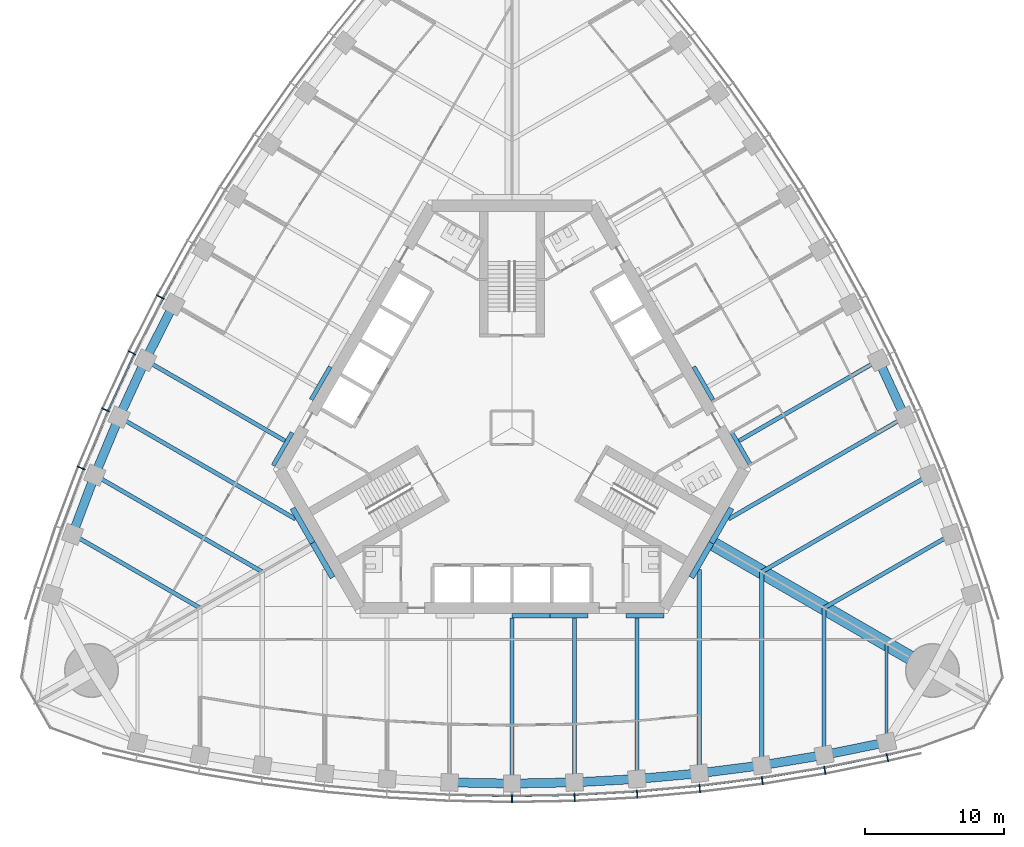
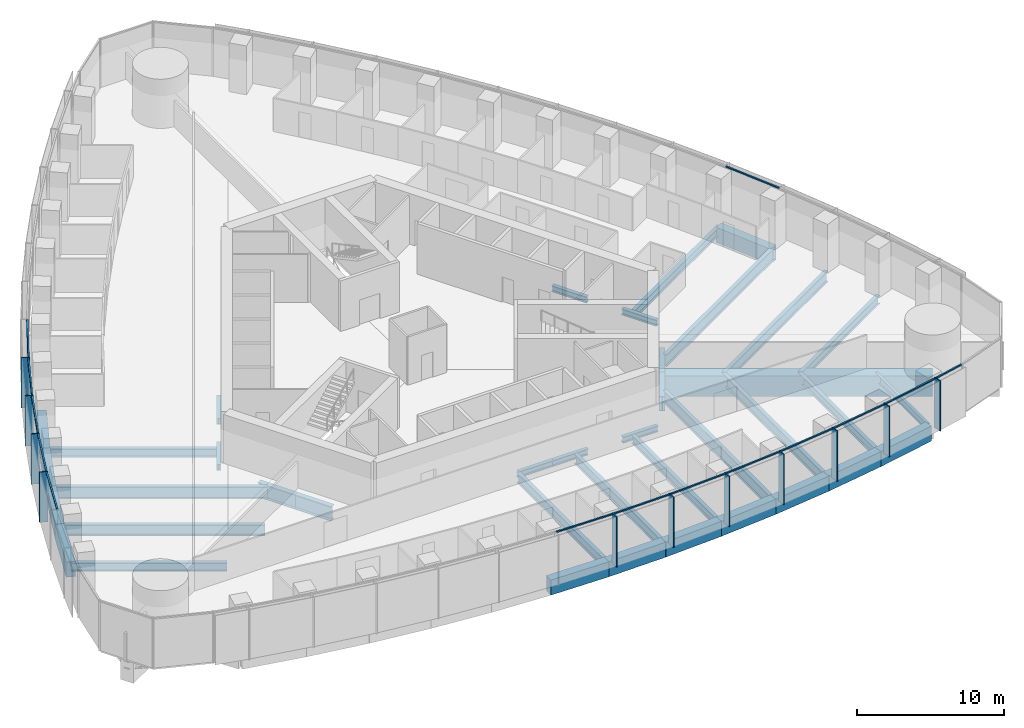
# One storey, part 3 of 21: 39 beams, 25 members, 3 elements without a shape of their own.
"""IFC4 building model written with IfcOpenShell, lengths in metres."""

from ifc_helpers import new_model, si_unit, direction, frame, origin, origin_2d, place, context, subcontext, project, spatial, rectangle, i_section, extrude, material, material_profile, profile_set, type_object, element, aggregate, save


model = new_model("IFC4")

# Units and contexts
model_context = context("Model", 3, precision=1e-05, world=origin(), true_north=direction((0.0, 1.0)))
body_context = subcontext(model_context, "Body", "Model", "MODEL_VIEW")
ifc_project = project(units=[si_unit("LENGTHUNIT", "METRE"), si_unit("AREAUNIT", "SQUARE_METRE"), si_unit("VOLUMEUNIT", "CUBIC_METRE"), si_unit("PLANEANGLEUNIT", "RADIAN"), si_unit("MASSUNIT", "GRAM", prefix="KILO")], contexts=[model_context])

# Site, building, storey
site_placement = place(None, origin())
site = spatial("IfcSite", under=ifc_project, at=site_placement, CompositionType="ELEMENT")
building_placement = place(site_placement, origin())
building = spatial("IfcBuilding", under=site, at=building_placement, Name="Trefoil Bronze Tower", CompositionType="ELEMENT")
storey_placement = place(building_placement, frame((0.0, 0.0, 153.5)))
storey = spatial("IfcBuildingStorey", under=building, at=storey_placement, Name="L35", CompositionType="ELEMENT", Elevation=153.5)

# Curtain wall, members
ifc_material_1 = material(Name="Tinted solar-control glass", Category="glass")
curtain_wall_type = type_object("IfcCurtainWallType", Name="Bronze office curtain wall", PredefinedType="USERDEFINED", material=ifc_material_1)
curtain_wall_1_placement = place(storey_placement, origin())
curtain_wall_1 = element("IfcCurtainWall", 1, at=curtain_wall_1_placement, inside=storey, type_object=curtain_wall_type, Name="CW-A L35 F1", ObjectType="CURTAIN WALL", PredefinedType="USERDEFINED")
ifc_material_2 = material(Name="Bronze-finish aluminium", Category="aluminium")
ifc_material_profile_1 = material_profile(ifc_material_2, rectangle(XDim=0.60009765625, YDim=0.080078125, at=origin_2d()), Name="CW-A mullion")
ifc_profile_set_1 = profile_set([ifc_material_profile_1], Name="Bronze-finish aluminium")
member_type_1 = type_object("IfcMemberType", Name="Bronze office curtain wall mullion", PredefinedType="MULLION", material=ifc_profile_set_1)
member_1_placement = place(storey_placement, frame((0.0, -26.749755859375, 0.0), z_axis=(0.0, 0.0, 1.0), x_axis=(0.0, 1.0, 0.0)))
member_1 = element("IfcMember", 2, at=member_1_placement, type_object=member_type_1, Name="CW-A L35 F1 mullion 8", PredefinedType="MULLION", context=body_context, shape_type="SweptSolid", body=[
    extrude(rectangle(XDim=0.60009765625, YDim=0.080078125, at=origin_2d()), origin(), (0.0, 0.0, 1.0), 4.179931640625),
])
member_2_placement = place(storey_placement, frame((4.5107421875, -26.66845703125, 0.0), z_axis=(0.0, 0.0, 1.0), x_axis=(-0.036047792107, 0.999350067136, 0.0)))
member_2 = element("IfcMember", 3, at=member_2_placement, type_object=member_type_1, Name="CW-A L35 F1 mullion 9", PredefinedType="MULLION", context=body_context, shape_type="SweptSolid", body=[
    extrude(rectangle(XDim=0.60009765625, YDim=0.080078125, at=origin_2d()), origin(), (0.0, 0.0, 1.0), 4.179931640625),
])
member_3_placement = place(storey_placement, frame((9.021728515625, -26.424072265625, 0.0), z_axis=(0.0, 0.0, 1.0), x_axis=(-0.072095676284, 0.997397720802, 0.0)))
member_3 = element("IfcMember", 4, at=member_3_placement, type_object=member_type_1, Name="CW-A L35 F1 mullion 10", PredefinedType="MULLION", context=body_context, shape_type="SweptSolid", body=[
    extrude(rectangle(XDim=0.60009765625, YDim=0.080078125, at=origin_2d()), origin(), (0.0, 0.0, 1.0), 4.179931640625),
])
member_4_placement = place(storey_placement, frame((13.532470703125, -26.01611328125, 0.0), z_axis=(0.0, 0.0, 1.0), x_axis=(-0.108143747013, 0.994135267447, 0.0)))
member_4 = element("IfcMember", 5, at=member_4_placement, type_object=member_type_1, Name="CW-A L35 F1 mullion 11", PredefinedType="MULLION", context=body_context, shape_type="SweptSolid", body=[
    extrude(rectangle(XDim=0.60009765625, YDim=0.080078125, at=origin_2d()), origin(), (0.0, 0.0, 1.0), 4.179931640625),
])
member_5_placement = place(storey_placement, frame((18.043212890625, -25.4423828125, 0.0), z_axis=(0.0, 0.0, 1.0), x_axis=(-0.144192103798, 0.989549714366, 0.0)))
member_5 = element("IfcMember", 6, at=member_5_placement, type_object=member_type_1, Name="CW-A L35 F1 mullion 12", PredefinedType="MULLION", context=body_context, shape_type="SweptSolid", body=[
    extrude(rectangle(XDim=0.60009765625, YDim=0.080078125, at=origin_2d()), origin(), (0.0, 0.0, 1.0), 4.179931640625),
])
member_6_placement = place(storey_placement, frame((22.553955078125, -24.700927734375, 0.0), z_axis=(0.0, 0.0, 1.0), x_axis=(-0.180240853954, 0.98362250613, 0.0)))
member_6 = element("IfcMember", 7, at=member_6_placement, type_object=member_type_1, Name="CW-A L35 F1 mullion 13", PredefinedType="MULLION", context=body_context, shape_type="SweptSolid", body=[
    extrude(rectangle(XDim=0.60009765625, YDim=0.080078125, at=origin_2d()), origin(), (0.0, 0.0, 1.0), 4.179931640625),
])
member_7_placement = place(storey_placement, frame((27.0634765625, -23.7890625, 0.0), z_axis=(0.0, 0.0, 1.0), x_axis=(-0.21197042503, 0.977276081214, 0.0)))
member_7 = element("IfcMember", 8, at=member_7_placement, type_object=member_type_1, Name="CW-A L35 F1 mullion 14", PredefinedType="MULLION", context=body_context, shape_type="SweptSolid", body=[
    extrude(rectangle(XDim=0.60009765625, YDim=0.080078125, at=origin_2d()), origin(), (0.0, 0.0, 1.0), 4.179931640625),
])

curtain_wall_2_placement = place(storey_placement, origin())
curtain_wall_2 = element("IfcCurtainWall", 9, at=curtain_wall_2_placement, inside=storey, type_object=curtain_wall_type, Name="CW-A L35 F3", ObjectType="CURTAIN WALL", PredefinedType="USERDEFINED")
member_8_placement = place(storey_placement, frame((-25.350830078125, 9.427734375, 0.0), z_axis=(0.0, 0.0, 1.0), x_axis=(0.883486441467, -0.468456729853, 0.0)))
member_8 = element("IfcMember", 10, at=member_8_placement, type_object=member_type_1, Name="CW-A L35 F3 mullion 9", PredefinedType="MULLION", context=body_context, shape_type="SweptSolid", body=[
    extrude(rectangle(XDim=0.60009765625, YDim=0.080078125, at=origin_2d()), origin(), (0.0, 0.0, 1.0), 4.179931640625),
])
member_9_placement = place(storey_placement, frame((-27.394775390625, 5.399169921875, 0.0), z_axis=(0.0, 0.0, 1.0), x_axis=(0.899819602033, -0.436262173236, 0.0)))
member_9 = element("IfcMember", 11, at=member_9_placement, type_object=member_type_1, Name="CW-A L35 F3 mullion 10", PredefinedType="MULLION", context=body_context, shape_type="SweptSolid", body=[
    extrude(rectangle(XDim=0.60009765625, YDim=0.080078125, at=origin_2d()), origin(), (0.0, 0.0, 1.0), 4.179931640625),
])
member_10_placement = place(storey_placement, frame((-29.296875, 1.28857421875, 0.0), z_axis=(0.0, 0.0, 1.0), x_axis=(0.915018269914, -0.40341240155, 0.0)))
member_10 = element("IfcMember", 12, at=member_10_placement, type_object=member_type_1, Name="CW-A L35 F3 mullion 11", PredefinedType="MULLION", context=body_context, shape_type="SweptSolid", body=[
    extrude(rectangle(XDim=0.60009765625, YDim=0.080078125, at=origin_2d()), origin(), (0.0, 0.0, 1.0), 4.179931640625),
])
member_11_placement = place(storey_placement, frame((-31.055419921875, -2.90478515625, 0.0), z_axis=(0.0, 0.0, 1.0), x_axis=(0.929071242848, -0.369900832269, 0.0)))
member_11 = element("IfcMember", 13, at=member_11_placement, type_object=member_type_1, Name="CW-A L35 F3 mullion 12", PredefinedType="MULLION", context=body_context, shape_type="SweptSolid", body=[
    extrude(rectangle(XDim=0.60009765625, YDim=0.080078125, at=origin_2d()), origin(), (0.0, 0.0, 1.0), 4.179931640625),
])

# Member
ifc_material_3 = material(Name="Bronze-finish aluminium", Category="aluminium")
ifc_material_profile_2 = material_profile(ifc_material_3, rectangle(XDim=0.1201171875, YDim=0.10009765625, at=origin_2d()), Name="CW-A transom")
ifc_profile_set_2 = profile_set([ifc_material_profile_2], Name="Bronze-finish aluminium")
member_type_2 = type_object("IfcMemberType", Name="Bronze office curtain wall transom", PredefinedType="USERDEFINED", material=ifc_profile_set_2)
member_12_placement = place(storey_placement, frame((-4.4619140625, -26.46923828125, 4.1298828125), z_axis=(0.999837930028, -0.018003157426, 0.0), x_axis=(0.018003157426, 0.999837930028, 0.0)))
member_12 = element("IfcMember", 14, at=member_12_placement, type_object=member_type_2, Name="CW-A L35 F1 transom 7", ObjectType="TRANSOM", PredefinedType="USERDEFINED", context=body_context, shape_type="SweptSolid", body=[
    extrude(rectangle(XDim=0.1201171875, YDim=0.10009765625, at=origin_2d()), origin(), (0.0, 0.0, 1.0), 4.4208984375),
])

member_13_placement = place(storey_placement, frame((0.041748046875, -26.548828125, 4.1298828125), z_axis=(0.999837930028, 0.018003157426, 0.0), x_axis=(-0.018003157426, 0.999837930028, 0.0)))
member_13 = element("IfcMember", 15, at=member_13_placement, type_object=member_type_2, Name="CW-A L35 F1 transom 8", ObjectType="TRANSOM", PredefinedType="USERDEFINED", context=body_context, shape_type="SweptSolid", body=[
    extrude(rectangle(XDim=0.1201171875, YDim=0.10009765625, at=origin_2d()), origin(), (0.0, 0.0, 1.0), 4.4208984375),
])

member_14_placement = place(storey_placement, frame((4.54541015625, -26.46630859375, 4.1298828125), z_axis=(0.998538253569, 0.054049571306, 0.0), x_axis=(-0.054049571306, 0.998538253569, 0.0)))
member_14 = element("IfcMember", 16, at=member_14_placement, type_object=member_type_2, Name="CW-A L35 F1 transom 9", ObjectType="TRANSOM", PredefinedType="USERDEFINED", context=body_context, shape_type="SweptSolid", body=[
    extrude(rectangle(XDim=0.1201171875, YDim=0.10009765625, at=origin_2d()), origin(), (0.0, 0.0, 1.0), 4.4267578125),
])

member_15_placement = place(storey_placement, frame((9.048828125, -26.220947265625, 4.1298828125), z_axis=(0.995932787062, 0.090099298863, 0.0), x_axis=(-0.090099298863, 0.995932787062, 0.0)))
member_15 = element("IfcMember", 17, at=member_15_placement, type_object=member_type_2, Name="CW-A L35 F1 transom 10", ObjectType="TRANSOM", PredefinedType="USERDEFINED", context=body_context, shape_type="SweptSolid", body=[
    extrude(rectangle(XDim=0.1201171875, YDim=0.10009765625, at=origin_2d()), origin(), (0.0, 0.0, 1.0), 4.4384765625),
])

member_16_placement = place(storey_placement, frame((13.55224609375, -25.81201171875, 4.1298828125), z_axis=(0.992008387848, 0.12617193998, 0.0), x_axis=(-0.12617193998, 0.992008387848, 0.0)))
member_16 = element("IfcMember", 18, at=member_16_placement, type_object=member_type_2, Name="CW-A L35 F1 transom 11", ObjectType="TRANSOM", PredefinedType="USERDEFINED", context=body_context, shape_type="SweptSolid", body=[
    extrude(rectangle(XDim=0.1201171875, YDim=0.10009765625, at=origin_2d()), origin(), (0.0, 0.0, 1.0), 4.456298828125),
])

member_17_placement = place(storey_placement, frame((18.0556640625, -25.23779296875, 4.1298828125), z_axis=(0.986755265284, 0.162216048636, 0.0), x_axis=(-0.162216048636, 0.986755265284, 0.0)))
member_17 = element("IfcMember", 19, at=member_17_placement, type_object=member_type_2, Name="CW-A L35 F1 transom 12", ObjectType="TRANSOM", PredefinedType="USERDEFINED", context=body_context, shape_type="SweptSolid", body=[
    extrude(rectangle(XDim=0.1201171875, YDim=0.10009765625, at=origin_2d()), origin(), (0.0, 0.0, 1.0), 4.48046875),
])

member_18_placement = place(storey_placement, frame((22.55908203125, -24.49609375, 4.1298828125), z_axis=(0.980153749225, 0.198238815273, 0.0), x_axis=(-0.198238815273, 0.980153749225, 0.0)))
member_18 = element("IfcMember", 20, at=member_18_placement, type_object=member_type_2, Name="CW-A L35 F1 transom 13", ObjectType="TRANSOM", PredefinedType="USERDEFINED", context=body_context, shape_type="SweptSolid", body=[
    extrude(rectangle(XDim=0.1201171875, YDim=0.10009765625, at=origin_2d()), origin(), (0.0, 0.0, 1.0), 4.51123046875),
])

member_19_placement = place(storey_placement, frame((27.0615234375, -23.584228515625, 4.1298828125), z_axis=(0.974206243495, 0.225659467196, 0.0), x_axis=(-0.225659467196, 0.974206243495, 0.0)))
member_19 = element("IfcMember", 21, at=member_19_placement, type_object=member_type_2, Name="CW-A L35 F1 transom 14", ObjectType="TRANSOM", PredefinedType="USERDEFINED", context=body_context, shape_type="SweptSolid", body=[
    extrude(rectangle(XDim=0.1201171875, YDim=0.10009765625, at=origin_2d()), origin(), (0.0, 0.0, 1.0), 2.340087890625),
])

aggregate(curtain_wall_1, [member_1, member_2, member_3, member_4, member_5, member_6, member_7, member_12, member_13, member_14, member_15, member_16, member_17, member_18, member_19])

# Curtain wall, member
curtain_wall_3_placement = place(storey_placement, origin())
curtain_wall_3 = element("IfcCurtainWall", 22, at=curtain_wall_3_placement, inside=storey, type_object=curtain_wall_type, Name="CW-A L35 F2", ObjectType="CURTAIN WALL", PredefinedType="USERDEFINED")
member_20_placement = place(storey_placement, frame((29.09619140625, 1.245849609375, 4.1298828125), z_axis=(-0.419923072198, 0.907559702409, 0.0), x_axis=(-0.907559702409, -0.419923072198, 0.0)))
member_20 = element("IfcMember", 23, at=member_20_placement, type_object=member_type_2, Name="CW-A L35 F2 transom 5", ObjectType="TRANSOM", PredefinedType="USERDEFINED", context=body_context, shape_type="SweptSolid", body=[
    extrude(rectangle(XDim=0.1201171875, YDim=0.10009765625, at=origin_2d()), origin(), (0.0, 0.0, 1.0), 4.4384765625),
])
aggregate(curtain_wall_3, [member_20])

# Member
member_21_placement = place(storey_placement, frame((-23.012939453125, 13.23828125, 4.1298828125), z_axis=(-0.484329470343, -0.874885686337, 0.0), x_axis=(0.874885686337, -0.484329470343, 0.0)))
member_21 = element("IfcMember", 24, at=member_21_placement, type_object=member_type_2, Name="CW-A L35 F3 transom 8", ObjectType="TRANSOM", PredefinedType="USERDEFINED", context=body_context, shape_type="SweptSolid", body=[
    extrude(rectangle(XDim=0.1201171875, YDim=0.10009765625, at=origin_2d()), origin(), (0.0, 0.0, 1.0), 4.4208984375),
])

member_22_placement = place(storey_placement, frame((-25.193115234375, 9.296630859375, 4.1298828125), z_axis=(-0.452478489814, -0.891775317138, 0.0), x_axis=(0.891775317138, -0.452478489814, 0.0)))
member_22 = element("IfcMember", 25, at=member_22_placement, type_object=member_type_2, Name="CW-A L35 F3 transom 9", ObjectType="TRANSOM", PredefinedType="USERDEFINED", context=body_context, shape_type="SweptSolid", body=[
    extrude(rectangle(XDim=0.1201171875, YDim=0.10009765625, at=origin_2d()), origin(), (0.0, 0.0, 1.0), 4.426513671875),
])

member_23_placement = place(storey_placement, frame((-27.232421875, 5.27392578125, 4.1298828125), z_axis=(-0.419923072198, -0.907559702409, 0.0), x_axis=(0.907559702409, -0.419923072198, 0.0)))
member_23 = element("IfcMember", 26, at=member_23_placement, type_object=member_type_2, Name="CW-A L35 F3 transom 10", ObjectType="TRANSOM", PredefinedType="USERDEFINED", context=body_context, shape_type="SweptSolid", body=[
    extrude(rectangle(XDim=0.1201171875, YDim=0.10009765625, at=origin_2d()), origin(), (0.0, 0.0, 1.0), 4.4384765625),
])

member_24_placement = place(storey_placement, frame((-29.1298828125, 1.16943359375, 4.1298828125), z_axis=(-0.386773266184, -0.922174842731, 0.0), x_axis=(0.922174842731, -0.386773266184, 0.0)))
member_24 = element("IfcMember", 27, at=member_24_placement, type_object=member_type_2, Name="CW-A L35 F3 transom 11", ObjectType="TRANSOM", PredefinedType="USERDEFINED", context=body_context, shape_type="SweptSolid", body=[
    extrude(rectangle(XDim=0.1201171875, YDim=0.10009765625, at=origin_2d()), origin(), (0.0, 0.0, 1.0), 4.45654296875),
])

member_25_placement = place(storey_placement, frame((-30.88427734375, -3.017822265625, 4.1298828125), z_axis=(-0.352932154759, -0.935648916067, 0.0), x_axis=(0.935648916067, -0.352932154759, 0.0)))
member_25 = element("IfcMember", 28, at=member_25_placement, type_object=member_type_2, Name="CW-A L35 F3 transom 12", ObjectType="TRANSOM", PredefinedType="USERDEFINED", context=body_context, shape_type="SweptSolid", body=[
    extrude(rectangle(XDim=0.1201171875, YDim=0.10009765625, at=origin_2d()), origin(), (0.0, 0.0, 1.0), 4.48046875),
])

aggregate(curtain_wall_2, [member_8, member_9, member_10, member_11, member_21, member_22, member_23, member_24, member_25])

# Beams
ifc_material_4 = material(Name="Steel C355", Category="steel")
ifc_material_profile_3 = material_profile(ifc_material_4, i_section(OverallWidth=0.300048828125, OverallDepth=0.5, WebThickness=0.014404296875, FlangeThickness=0.028076171875, FilletRadius=0.027099609375, at=origin_2d()), Name="HEB 500")
ifc_profile_set_3 = profile_set([ifc_material_profile_3], Name="Steel C355")
beam_type_1 = type_object("IfcBeamType", Name="Core seat beam HEB 500", PredefinedType="BEAM", material=ifc_profile_set_3)
for number, where, z_axis, x_axis, name in (
    (29, (0.0, -13.550048828125, -0.449951171875), (1.0, 0.0, 0.0), (0.0, 1.0, 0.0), "Core seat beam F1/+0 L35"),
    (30, (2.742431640625, -13.550048828125, -0.449951171875), (1.0, 0.0, 0.0), (0.0, 1.0, 0.0), "Core seat beam F1/+1 L35"),
    (31, (8.227294921875, -13.550048828125, -0.449951171875), (1.0, 0.0, 0.0), (0.0, 1.0, 0.0), "Core seat beam F1/+2 L35"),
    (32, (17.219482421875, -2.72509765625, -0.449951171875), (-0.500035825175, 0.866004719122, 0.0), (-0.866004719122, -0.500035825175, 0.0), "Core seat beam F2/-2 L35"),
    (33, (14.47705078125, 2.02490234375, -0.449951171875), (-0.499969057507, 0.866043267704, 0.0), (-0.866043267704, -0.499969057507, 0.0), "Core seat beam F2/-1 L35"),
    (34, (-13.10595703125, 4.39990234375, -0.449951171875), (-0.499969057507, -0.866043267704, 0.0), (0.866043267704, -0.499969057507, 0.0), "Core seat beam F3/+1 L35"),
    (35, (-15.84814453125, -0.35009765625, -0.449951171875), (-0.500035825175, -0.866004719122, 0.0), (0.866004719122, -0.500035825175, 0.0), "Core seat beam F3/+2 L35"),
):
    element("IfcBeam", number, at=place(storey_placement, frame(where, z_axis=z_axis, x_axis=x_axis)), inside=storey, type_object=beam_type_1, Name=name, PredefinedType="BEAM", context=body_context, shape_type="SweptSolid", body=[
        extrude(i_section(OverallWidth=0.300048828125, OverallDepth=0.5, WebThickness=0.014404296875, FlangeThickness=0.028076171875, FilletRadius=0.027099609375, at=origin_2d()), origin(), (0.0, 0.0, 1.0), 2.742431640625),
    ])
ifc_material_5 = material(Name="Steel C355", Category="steel")
ifc_material_profile_4 = material_profile(ifc_material_5, i_section(OverallWidth=0.39990234375, OverallDepth=1.199951171875, WebThickness=0.02001953125, FlangeThickness=0.0400390625, FilletRadius=0.010009765625, at=origin_2d()), Name="WPG 1200")
ifc_profile_set_4 = profile_set([ifc_material_profile_4], Name="Steel C355")
beam_type_2 = type_object("IfcBeamType", Name="Core seat beam WPG 1200", PredefinedType="BEAM", material=ifc_profile_set_4)
for number, where, z_axis, x_axis, name in (
    (36, (-14.3759765625, -8.300048828125, -0.800048828125), (0.499995765644, -0.866027848477, 0.0), (0.866027848477, 0.499995765644, 0.0), "Core seat beam F1/-3 L35"),
    (37, (12.9326171875, -10.800048828125, -0.800048828125), (0.499995765644, 0.866027848477, 0.0), (-0.866027848477, 0.499995765644, 0.0), "Core seat beam F1/+3 L35"),
    (38, (14.3759765625, -8.300048828125, -0.800048828125), (0.499995765644, 0.866027848477, 0.0), (-0.866027848477, 0.499995765644, 0.0), "Core seat beam F2/-3 L35"),
    (39, (-15.8193359375, -5.800048828125, -0.800048828125), (0.499995765644, -0.866027848477, 0.0), (0.866027848477, 0.499995765644, 0.0), "Core seat beam F3/+3 L35"),
):
    element("IfcBeam", number, at=place(storey_placement, frame(where, z_axis=z_axis, x_axis=x_axis)), inside=storey, type_object=beam_type_2, Name=name, PredefinedType="BEAM", context=body_context, shape_type="SweptSolid", body=[
        extrude(i_section(OverallWidth=0.39990234375, OverallDepth=1.199951171875, WebThickness=0.02001953125, FlangeThickness=0.0400390625, FilletRadius=0.010009765625, at=origin_2d()), origin(), (0.0, 0.0, 1.0), 2.88671875),
    ])
ifc_material_6 = material(Name="Concrete B80", Category="concrete")
ifc_material_profile_5 = material_profile(ifc_material_6, rectangle(XDim=1.0, YDim=1.699951171875, at=origin_2d()), Name="RC 1000x1700")
ifc_profile_set_5 = profile_set([ifc_material_profile_5], Name="Concrete B80")
beam_type_3 = type_object("IfcBeamType", Name="Corner girder RC 1000x1700", PredefinedType="BEAM", material=ifc_profile_set_5)
beam_1_placement = place(storey_placement, frame((14.202880859375, -8.199951171875, -1.050048828125), z_axis=(0.866022084834, -0.500005748546, 0.0), x_axis=(0.500005748546, 0.866022084834, 0.0)))
element("IfcBeam", 40, at=beam_1_placement, inside=storey, type_object=beam_type_3, Name="Corner girder K1 L35", PredefinedType="BEAM", context=body_context, shape_type="SweptSolid", body=[
    extrude(rectangle(XDim=1.0, YDim=1.699951171875, at=origin_2d()), origin(), (0.0, 0.0, 1.0), 18.599853515625),
])
ifc_material_7 = material(Name="Steel C355", Category="steel")
ifc_material_profile_6 = material_profile(ifc_material_7, i_section(OverallWidth=0.300048828125, OverallDepth=1.0, WebThickness=0.01904296875, FlangeThickness=0.035888671875, FilletRadius=0.030029296875, at=origin_2d()), Name="HEB 1000")
ifc_profile_set_6 = profile_set([ifc_material_profile_6], Name="Steel C355")
beam_type_4 = type_object("IfcBeamType", Name="Floor beam HEB 1000", PredefinedType="BEAM", material=ifc_profile_set_6)
for number, where, z_axis, x_axis, name in (
    (41, (13.5, -24.9130859375, -0.699951171875), (0.0, 1.0, 0.0), (-1.0, 0.0, 0.0), "Floor beam F1/+3 L35"),
    (42, (28.325439453125, 0.76513671875, -0.699951171875), (-0.866027342682, -0.499996641717, 0.0), (0.499996641717, -0.866027342682, 0.0), "Floor beam F2/-3 L35"),
    (43, (-28.325439453125, 0.76513671875, -0.699951171875), (0.866027342682, -0.499996641717, 0.0), (0.499996641717, 0.866027342682, 0.0), "Floor beam F3/+3 L35"),
):
    element("IfcBeam", number, at=place(storey_placement, frame(where, z_axis=z_axis, x_axis=x_axis)), inside=storey, type_object=beam_type_4, Name=name, PredefinedType="BEAM", context=body_context, shape_type="SweptSolid", body=[
        extrude(i_section(OverallWidth=0.300048828125, OverallDepth=1.0, WebThickness=0.01904296875, FlangeThickness=0.035888671875, FilletRadius=0.030029296875, at=origin_2d()), origin(), (0.0, 0.0, 1.0), 14.69580078125),
    ])
ifc_material_8 = material(Name="Steel C355", Category="steel")
ifc_material_profile_7 = material_profile(ifc_material_8, i_section(OverallWidth=0.300048828125, OverallDepth=0.699951171875, WebThickness=0.01708984375, FlangeThickness=0.031982421875, FilletRadius=0.027099609375, at=origin_2d()), Name="HEB 700")
ifc_profile_set_7 = profile_set([ifc_material_profile_7], Name="Steel C355")
beam_type_5 = type_object("IfcBeamType", Name="Floor beam HEB 700", PredefinedType="BEAM", material=ifc_profile_set_7)
beam_2_placement = place(storey_placement, frame((9.0, -25.32275390625, -0.550048828125), z_axis=(0.0, 1.0, 0.0), x_axis=(-1.0, 0.0, 0.0)))
element("IfcBeam", 44, at=beam_2_placement, inside=storey, type_object=beam_type_5, Name="Floor beam F1/+2 L35", PredefinedType="BEAM", context=body_context, shape_type="SweptSolid", body=[
    extrude(i_section(OverallWidth=0.300048828125, OverallDepth=0.699951171875, WebThickness=0.01708984375, FlangeThickness=0.031982421875, FilletRadius=0.027099609375, at=origin_2d()), origin(), (0.0, 0.0, 1.0), 11.622802734375),
])
beam_3_placement = place(storey_placement, frame((22.5, -23.592529296875, -0.550048828125), z_axis=(0.0, 1.0, 0.0), x_axis=(-1.0, 0.0, 0.0)))
element("IfcBeam", 45, at=beam_3_placement, inside=storey, type_object=beam_type_5, Name="Floor beam F1/+5 L35", PredefinedType="BEAM", context=body_context, shape_type="SweptSolid", body=[
    extrude(i_section(OverallWidth=0.300048828125, OverallDepth=0.699951171875, WebThickness=0.01708984375, FlangeThickness=0.031982421875, FilletRadius=0.027099609375, at=origin_2d()), origin(), (0.0, 0.0, 1.0), 10.60205078125),
])
beam_4_placement = place(storey_placement, frame((31.681884765625, -7.689208984375, -0.550048828125), z_axis=(-0.866021079084, -0.500007490527, 0.0), x_axis=(0.500007490527, -0.866021079084, 0.0)))
element("IfcBeam", 46, at=beam_4_placement, inside=storey, type_object=beam_type_5, Name="Floor beam F2/-5 L35", PredefinedType="BEAM", context=body_context, shape_type="SweptSolid", body=[
    extrude(i_section(OverallWidth=0.300048828125, OverallDepth=0.699951171875, WebThickness=0.01708984375, FlangeThickness=0.031982421875, FilletRadius=0.027099609375, at=origin_2d()), origin(), (0.0, 0.0, 1.0), 10.602294921875),
])
for number, where, z_axis, x_axis, name in (
    (47, (26.43017578125, 4.8671875, -0.550048828125), (-0.866021531335, -0.500006707218, 0.0), (0.500006707218, -0.866021531335, 0.0), "Floor beam F2/-2 L35"),
    (48, (-26.43017578125, 4.8671875, -0.550048828125), (0.866021531335, -0.500006707218, 0.0), (0.500006707218, 0.866021531335, 0.0), "Floor beam F3/+2 L35"),
):
    element("IfcBeam", number, at=place(storey_placement, frame(where, z_axis=z_axis, x_axis=x_axis)), inside=storey, type_object=beam_type_5, Name=name, PredefinedType="BEAM", context=body_context, shape_type="SweptSolid", body=[
        extrude(i_section(OverallWidth=0.300048828125, OverallDepth=0.699951171875, WebThickness=0.01708984375, FlangeThickness=0.031982421875, FilletRadius=0.027099609375, at=origin_2d()), origin(), (0.0, 0.0, 1.0), 11.622802734375),
    ])
beam_5_placement = place(storey_placement, frame((-31.681884765625, -7.689208984375, -0.550048828125), z_axis=(0.866021079084, -0.500007490527, 0.0), x_axis=(0.500007490527, 0.866021079084, 0.0)))
element("IfcBeam", 49, at=beam_5_placement, inside=storey, type_object=beam_type_5, Name="Floor beam F3/+5 L35", PredefinedType="BEAM", context=body_context, shape_type="SweptSolid", body=[
    extrude(i_section(OverallWidth=0.300048828125, OverallDepth=0.699951171875, WebThickness=0.01708984375, FlangeThickness=0.031982421875, FilletRadius=0.027099609375, at=origin_2d()), origin(), (0.0, 0.0, 1.0), 10.602294921875),
])
ifc_material_9 = material(Name="Steel C355", Category="steel")
ifc_material_profile_8 = material_profile(ifc_material_9, i_section(OverallWidth=0.300048828125, OverallDepth=0.800048828125, WebThickness=0.017578125, FlangeThickness=0.032958984375, FilletRadius=0.030029296875, at=origin_2d()), Name="HEB 800")
ifc_profile_set_8 = profile_set([ifc_material_profile_8], Name="Steel C355")
beam_type_6 = type_object("IfcBeamType", Name="Floor beam HEB 800", PredefinedType="BEAM", material=ifc_profile_set_8)
beam_6_placement = place(storey_placement, frame((0.0, -25.649658203125, -0.60009765625), z_axis=(0.0, 1.0, 0.0), x_axis=(-1.0, 0.0, 0.0)))
element("IfcBeam", 50, at=beam_6_placement, inside=storey, type_object=beam_type_6, Name="Floor beam F1/+0 L35", PredefinedType="BEAM", context=body_context, shape_type="SweptSolid", body=[
    extrude(i_section(OverallWidth=0.300048828125, OverallDepth=0.800048828125, WebThickness=0.017578125, FlangeThickness=0.032958984375, FilletRadius=0.030029296875, at=origin_2d()), origin(), (0.0, 0.0, 1.0), 11.94970703125),
])
beam_7_placement = place(storey_placement, frame((4.5, -25.568115234375, -0.60009765625), z_axis=(0.0, 1.0, 0.0), x_axis=(-1.0, 0.0, 0.0)))
element("IfcBeam", 51, at=beam_7_placement, inside=storey, type_object=beam_type_6, Name="Floor beam F1/+1 L35", PredefinedType="BEAM", context=body_context, shape_type="SweptSolid", body=[
    extrude(i_section(OverallWidth=0.300048828125, OverallDepth=0.800048828125, WebThickness=0.017578125, FlangeThickness=0.032958984375, FilletRadius=0.030029296875, at=origin_2d()), origin(), (0.0, 0.0, 1.0), 11.8681640625),
])
ifc_material_10 = material(Name="Steel C355", Category="steel")
ifc_material_profile_9 = material_profile(ifc_material_10, i_section(OverallWidth=0.300048828125, OverallDepth=0.89990234375, WebThickness=0.0185546875, FlangeThickness=0.034912109375, FilletRadius=0.030029296875, at=origin_2d()), Name="HEB 900")
ifc_profile_set_9 = profile_set([ifc_material_profile_9], Name="Steel C355")
beam_type_7 = type_object("IfcBeamType", Name="Floor beam HEB 900", PredefinedType="BEAM", material=ifc_profile_set_9)
for number, where, z_axis, x_axis, name in (
    (52, (18.0, -24.337158203125, -0.64990234375), (0.0, 1.0, 0.0), (-1.0, 0.0, 0.0), "Floor beam F1/+4 L35"),
    (53, (30.07666015625, -3.419921875, -0.64990234375), (-0.866026983775, -0.499997263366, 0.0), (0.499997263366, -0.866026983775, 0.0), "Floor beam F2/-4 L35"),
    (54, (-30.07666015625, -3.419921875, -0.64990234375), (0.866026983775, -0.499997263366, 0.0), (0.499997263366, 0.866026983775, 0.0), "Floor beam F3/+4 L35"),
):
    element("IfcBeam", number, at=place(storey_placement, frame(where, z_axis=z_axis, x_axis=x_axis)), inside=storey, type_object=beam_type_7, Name=name, PredefinedType="BEAM", context=body_context, shape_type="SweptSolid", body=[
        extrude(i_section(OverallWidth=0.300048828125, OverallDepth=0.89990234375, WebThickness=0.0185546875, FlangeThickness=0.034912109375, FilletRadius=0.030029296875, at=origin_2d()), origin(), (0.0, 0.0, 1.0), 13.94482421875),
    ])
ifc_material_11 = material(Name="Steel C355", Category="steel")
ifc_material_profile_10 = material_profile(ifc_material_11, i_section(OverallWidth=0.219970703125, OverallDepth=0.60009765625, WebThickness=0.011962890625, FlangeThickness=0.01904296875, FilletRadius=0.02392578125, at=origin_2d()), Name="IPE 600")
ifc_profile_set_10 = profile_set([ifc_material_profile_10], Name="Steel C355")
beam_type_8 = type_object("IfcBeamType", Name="Floor beam IPE 600", PredefinedType="BEAM", material=ifc_profile_set_10)
beam_8_placement = place(storey_placement, frame((27.0, -22.67724609375, -0.5), z_axis=(0.0, 1.0, 0.0), x_axis=(-1.0, 0.0, 0.0)))
element("IfcBeam", 55, at=beam_8_placement, inside=storey, type_object=beam_type_8, Name="Floor beam F1/+6 L35", PredefinedType="BEAM", context=body_context, shape_type="SweptSolid", body=[
    extrude(i_section(OverallWidth=0.219970703125, OverallDepth=0.60009765625, WebThickness=0.011962890625, FlangeThickness=0.01904296875, FilletRadius=0.02392578125, at=origin_2d()), origin(), (0.0, 0.0, 1.0), 7.0888671875),
])
ifc_material_12 = material(Name="Concrete B80", Category="concrete")
ifc_material_profile_11 = material_profile(ifc_material_12, rectangle(XDim=0.64990234375, YDim=1.25, at=origin_2d()), Name="RC 650x1250")
ifc_profile_set_11 = profile_set([ifc_material_profile_11], Name="Concrete B80")
beam_type_9 = type_object("IfcBeamType", Name="Spandrel beam RC 650x1250", PredefinedType="SPANDREL", material=ifc_profile_set_11)
for number, where, z_axis, x_axis, name in (
    (56, (-4.5, -25.568115234375, -0.824951171875), (0.999835861267, -0.01811768542, 0.0), (0.01811768542, 0.999835861267, 0.0), "Spandrel F1.7 L35"),
    (57, (0.0, -25.649658203125, -0.824951171875), (0.999835861267, 0.01811768542, 0.0), (-0.01811768542, 0.999835861267, 0.0), "Spandrel F1.8 L35"),
):
    element("IfcBeam", number, at=place(storey_placement, frame(where, z_axis=z_axis, x_axis=x_axis)), inside=storey, type_object=beam_type_9, Name=name, PredefinedType="SPANDREL", context=body_context, shape_type="SweptSolid", body=[
        extrude(rectangle(XDim=0.64990234375, YDim=1.25, at=origin_2d()), origin(), (0.0, 0.0, 1.0), 4.500732421875),
    ])
beam_9_placement = place(storey_placement, frame((4.5, -25.568115234375, -0.824951171875), z_axis=(0.998516832602, 0.054443870267, 0.0), x_axis=(-0.054443870267, 0.998516832602, 0.0)))
element("IfcBeam", 58, at=beam_9_placement, inside=storey, type_object=beam_type_9, Name="Spandrel F1.9 L35", PredefinedType="SPANDREL", context=body_context, shape_type="SweptSolid", body=[
    extrude(rectangle(XDim=0.64990234375, YDim=1.25, at=origin_2d()), origin(), (0.0, 0.0, 1.0), 4.506591796875),
])
beam_10_placement = place(storey_placement, frame((9.0, -25.32275390625, -0.824951171875), z_axis=(0.995881683815, 0.090662405894, 0.0), x_axis=(-0.090662405894, 0.995881683815, 0.0)))
element("IfcBeam", 59, at=beam_10_placement, inside=storey, type_object=beam_type_9, Name="Spandrel F1.10 L35", PredefinedType="SPANDREL", context=body_context, shape_type="SweptSolid", body=[
    extrude(rectangle(XDim=0.64990234375, YDim=1.25, at=origin_2d()), origin(), (0.0, 0.0, 1.0), 4.5185546875),
])
beam_11_placement = place(storey_placement, frame((13.5, -24.9130859375, -0.824951171875), z_axis=(0.991909314257, 0.126948463126, 0.0), x_axis=(-0.126948463126, 0.991909314257, 0.0)))
element("IfcBeam", 60, at=beam_11_placement, inside=storey, type_object=beam_type_9, Name="Spandrel F1.11 L35", PredefinedType="SPANDREL", context=body_context, shape_type="SweptSolid", body=[
    extrude(rectangle(XDim=0.64990234375, YDim=1.25, at=origin_2d()), origin(), (0.0, 0.0, 1.0), 4.53662109375),
])
beam_12_placement = place(storey_placement, frame((18.0, -24.337158203125, -0.824951171875), z_axis=(0.986584214684, 0.163253138823, 0.0), x_axis=(-0.163253138823, 0.986584214684, 0.0)))
element("IfcBeam", 61, at=beam_12_placement, inside=storey, type_object=beam_type_9, Name="Spandrel F1.12 L35", PredefinedType="SPANDREL", context=body_context, shape_type="SweptSolid", body=[
    extrude(rectangle(XDim=0.64990234375, YDim=1.25, at=origin_2d()), origin(), (0.0, 0.0, 1.0), 4.561279296875),
])
beam_13_placement = place(storey_placement, frame((22.5, -23.592529296875, -0.824951171875), z_axis=(0.979935430296, 0.199315208777, 0.0), x_axis=(-0.199315208777, 0.979935430296, 0.0)))
element("IfcBeam", 62, at=beam_13_placement, inside=storey, type_object=beam_type_9, Name="Spandrel F1.13 L35", PredefinedType="SPANDREL", context=body_context, shape_type="SweptSolid", body=[
    extrude(rectangle(XDim=0.64990234375, YDim=1.25, at=origin_2d()), origin(), (0.0, 0.0, 1.0), 4.592041015625),
])
beam_14_placement = place(storey_placement, frame((28.325439453125, 0.76513671875, -0.824951171875), z_axis=(-0.419424747755, 0.907790108434, 0.0), x_axis=(-0.907790108434, -0.419424747755, 0.0)))
element("IfcBeam", 63, at=beam_14_placement, inside=storey, type_object=beam_type_9, Name="Spandrel F2.5 L35", PredefinedType="SPANDREL", context=body_context, shape_type="SweptSolid", body=[
    extrude(rectangle(XDim=0.64990234375, YDim=1.25, at=origin_2d()), origin(), (0.0, 0.0, 1.0), 4.518798828125),
])
beam_15_placement = place(storey_placement, frame((-24.392578125, 8.886962890625, -0.824951171875), z_axis=(-0.452125717735, -0.891954222683, 0.0), x_axis=(0.891954222683, -0.452125717735, 0.0)))
element("IfcBeam", 64, at=beam_15_placement, inside=storey, type_object=beam_type_9, Name="Spandrel F3.9 L35", PredefinedType="SPANDREL", context=body_context, shape_type="SweptSolid", body=[
    extrude(rectangle(XDim=0.64990234375, YDim=1.25, at=origin_2d()), origin(), (0.0, 0.0, 1.0), 4.506591796875),
])
beam_16_placement = place(storey_placement, frame((-26.43017578125, 4.8671875, -0.824951171875), z_axis=(-0.419424747755, -0.907790108434, 0.0), x_axis=(0.907790108434, -0.419424747755, 0.0)))
element("IfcBeam", 65, at=beam_16_placement, inside=storey, type_object=beam_type_9, Name="Spandrel F3.10 L35", PredefinedType="SPANDREL", context=body_context, shape_type="SweptSolid", body=[
    extrude(rectangle(XDim=0.64990234375, YDim=1.25, at=origin_2d()), origin(), (0.0, 0.0, 1.0), 4.518798828125),
])
beam_17_placement = place(storey_placement, frame((-28.325439453125, 0.76513671875, -0.824951171875), z_axis=(-0.386013490858, -0.922493135408, 0.0), x_axis=(0.922493135408, -0.386013490858, 0.0)))
element("IfcBeam", 66, at=beam_17_placement, inside=storey, type_object=beam_type_9, Name="Spandrel F3.11 L35", PredefinedType="SPANDREL", context=body_context, shape_type="SweptSolid", body=[
    extrude(rectangle(XDim=0.64990234375, YDim=1.25, at=origin_2d()), origin(), (0.0, 0.0, 1.0), 4.53662109375),
])
beam_18_placement = place(storey_placement, frame((-30.07666015625, -3.419921875, -0.824951171875), z_axis=(-0.351938675523, -0.936023059904, 0.0), x_axis=(0.936023059904, -0.351938675523, 0.0)))
element("IfcBeam", 67, at=beam_18_placement, inside=storey, type_object=beam_type_9, Name="Spandrel F3.12 L35", PredefinedType="SPANDREL", context=body_context, shape_type="SweptSolid", body=[
    extrude(rectangle(XDim=0.64990234375, YDim=1.25, at=origin_2d()), origin(), (0.0, 0.0, 1.0), 4.56103515625),
])

save(model, "model.ifc")
